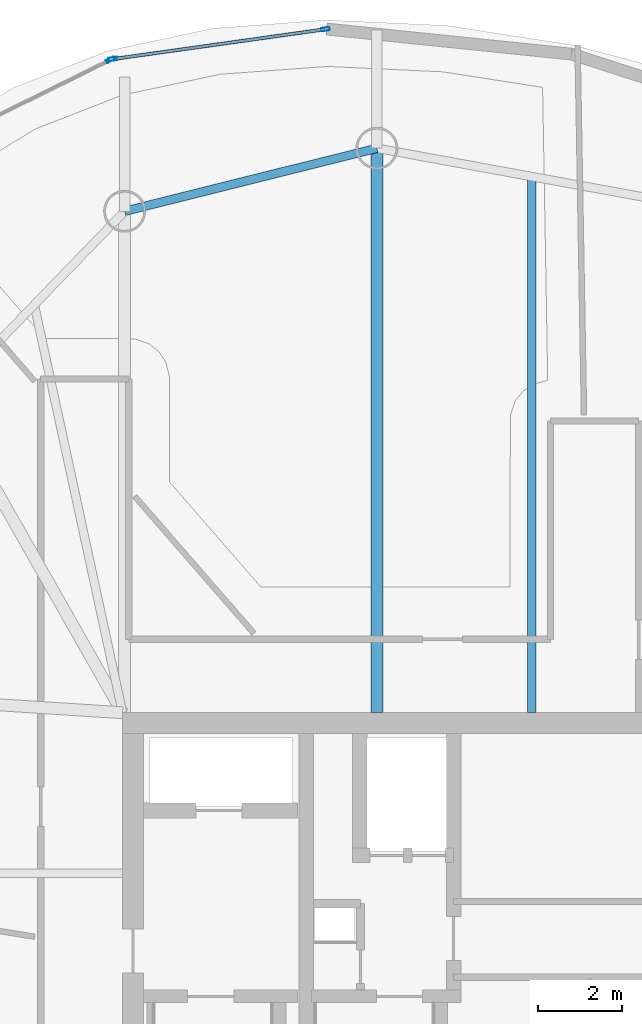
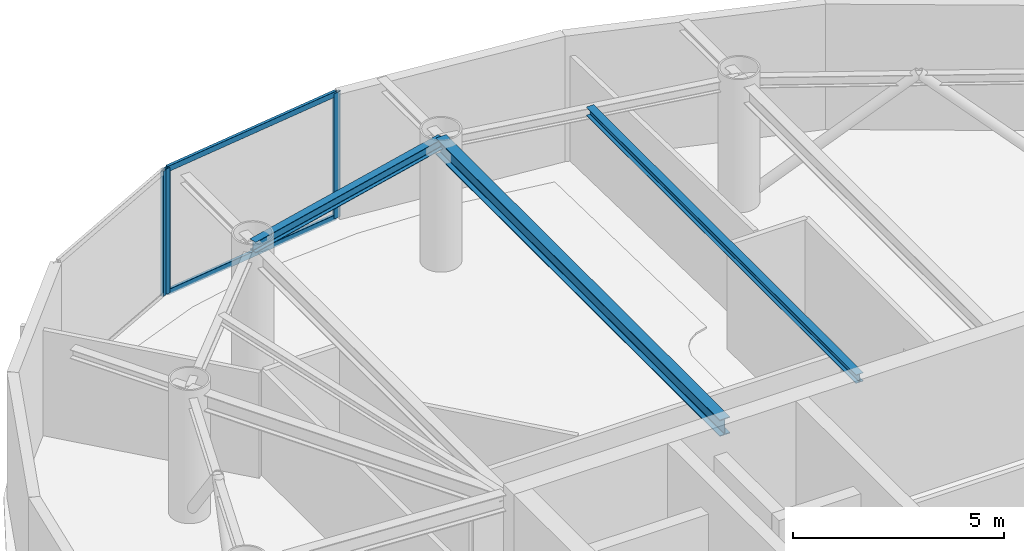
# One storey, part 11 of 20: 5 members, 3 beams, 2 elements without a shape of their own.
"""IFC4 building model written with IfcOpenShell, lengths in metres."""

from ifc_helpers import new_model, si_unit, direction, frame, origin, origin_2d, place, context, subcontext, project, spatial, hollow_rectangle, i_section, extrude, material, layer, layer_set, material_profile, profile_set, type_object, element, aggregate, save


model = new_model("IFC4")

# Units and contexts
model_context = context("Model", 3, precision=1e-05, world=origin(), true_north=direction((0.0, 1.0)))
body_context = subcontext(model_context, "Body", "Model", "MODEL_VIEW")
ifc_project = project(units=[si_unit("LENGTHUNIT", "METRE"), si_unit("AREAUNIT", "SQUARE_METRE"), si_unit("VOLUMEUNIT", "CUBIC_METRE"), si_unit("PLANEANGLEUNIT", "RADIAN"), si_unit("MASSUNIT", "GRAM", prefix="KILO")], contexts=[model_context])

# Site, building, storey
site_placement = place(None, origin())
site = spatial("IfcSite", under=ifc_project, at=site_placement, CompositionType="ELEMENT")
building_placement = place(site_placement, origin())
building = spatial("IfcBuilding", under=site, at=building_placement, Name="Bramvorn Convention Spire", CompositionType="ELEMENT")
storey_placement = place(building_placement, frame((0.0, 0.0, 245.89990234375)))
storey = spatial("IfcBuildingStorey", under=building, at=storey_placement, Name="L62", CompositionType="ELEMENT", Elevation=245.89990234375)

# Beams
ifc_material_1 = material(Name="Steel CSA G40.21 Grade 350 (350W)", Category="steel")
ifc_material_profile_1 = material_profile(ifc_material_1, i_section(OverallWidth=0.201904296875, OverallDepth=0.2470703125, WebThickness=0.00732421875, FlangeThickness=0.010986328125, FilletRadius=0.011962890625, at=origin_2d()))
ifc_profile_set_1 = profile_set([ifc_material_profile_1], Name="Steel CSA G40.21 Grade 350 (350W) - W250X49")
beam_type_1 = type_object("IfcBeamType", Name="BM-W250X49", PredefinedType="JOIST", material=ifc_profile_set_1)
beam_1_placement = place(storey_placement, frame((36.498046875, 33.449951171875, 3.501708984375), z_axis=(0.0, 1.0, 0.0), x_axis=(-1.0, 0.0, 0.0)))
element("IfcBeam", 1, at=beam_1_placement, inside=storey, type_object=beam_type_1, Name="L62 composite floor joist 07", PredefinedType="JOIST", context=body_context, shape_type="SweptSolid", body=[
    extrude(i_section(OverallWidth=0.201904296875, OverallDepth=0.2470703125, WebThickness=0.00732421875, FlangeThickness=0.010986328125, FilletRadius=0.011962890625, at=origin_2d()), origin(), (0.0, 0.0, 1.0), 12.77587890625),
])
ifc_material_profile_2 = material_profile(ifc_material_1, i_section(OverallWidth=0.202880859375, OverallDepth=0.302978515625, WebThickness=0.007568359375, FlangeThickness=0.01318359375, FilletRadius=0.013916015625, at=origin_2d()))
ifc_profile_set_2 = profile_set([ifc_material_profile_2], Name="Steel CSA G40.21 Grade 350 (350W) - W310X60")
beam_type_2 = type_object("IfcBeamType", Name="BM-W310X60", PredefinedType="JOIST", material=ifc_profile_set_2)
beam_2_placement = place(storey_placement, frame((32.8115234375, 46.90087890625, 3.4736328125), z_axis=(-0.970177255997, -0.24239655927, 0.0), x_axis=(0.24239655927, -0.970177255997, 0.0)))
element("IfcBeam", 2, at=beam_2_placement, inside=storey, type_object=beam_type_2, Name="L62 mega-column ring beam 08", PredefinedType="JOIST", context=body_context, shape_type="SweptSolid", body=[
    extrude(i_section(OverallWidth=0.202880859375, OverallDepth=0.302978515625, WebThickness=0.007568359375, FlangeThickness=0.01318359375, FilletRadius=0.013916015625, at=origin_2d()), origin(), (0.0, 0.0, 1.0), 6.1962890625),
])
ifc_material_profile_3 = material_profile(ifc_material_1, i_section(OverallWidth=0.283935546875, OverallDepth=0.47607421875, WebThickness=0.014892578125, FlangeThickness=0.02392578125, FilletRadius=0.01806640625, at=origin_2d()))
ifc_profile_set_3 = profile_set([ifc_material_profile_3], Name="Steel CSA G40.21 Grade 350 (350W) - W460X158")
beam_type_3 = type_object("IfcBeamType", Name="BM-W460X158", PredefinedType="SPANDREL", material=ifc_profile_set_3)
beam_3_placement = place(storey_placement, frame((32.8115234375, 33.449951171875, 3.38720703125), z_axis=(0.0, 1.0, 0.0), x_axis=(-1.0, 0.0, 0.0)))
element("IfcBeam", 3, at=beam_3_placement, inside=storey, type_object=beam_type_3, Name="L62 radial floor girder MC08", PredefinedType="SPANDREL", context=body_context, shape_type="SweptSolid", body=[
    extrude(i_section(OverallWidth=0.283935546875, OverallDepth=0.47607421875, WebThickness=0.014892578125, FlangeThickness=0.02392578125, FilletRadius=0.01806640625, at=origin_2d()), origin(), (0.0, 0.0, 1.0), 13.450927734375),
])

# Curtain wall, members
ifc_material_2 = material(Name="Anodised Bronze Unitised Curtain Wall", Category="aluminium")
ifc_layer = layer(ifc_material_2, 0.179931640625)
ifc_layer_set = layer_set([ifc_layer], Name="Anodised Bronze Unitised Curtain Wall - CW-OFF-FRIT")
curtain_wall_type = type_object("IfcCurtainWallType", Name="CW-OFF-FRIT", PredefinedType="USERDEFINED", material=ifc_layer_set)
curtain_wall_1_placement = place(storey_placement, origin())
curtain_wall_1 = element("IfcCurtainWall", 4, at=curtain_wall_1_placement, inside=storey, type_object=curtain_wall_type, Name="L62 fritted glass curtain wall 11", ObjectType="UNITISED CURTAIN WALL", PredefinedType="USERDEFINED")
ifc_material_3 = material(Name="Anodised Bronze Aluminium 6063-T6", Category="aluminium")
ifc_material_profile_4 = material_profile(ifc_material_3, hollow_rectangle(XDim=0.080078125, YDim=0.199951171875, WallThickness=0.00390625, InnerFilletRadius=0.0009765625, OuterFilletRadius=0.00390625, at=origin_2d()))
ifc_profile_set_4 = profile_set([ifc_material_profile_4], Name="Anodised Bronze Aluminium 6063-T6 - CWM80X200")
member_type_1 = type_object("IfcMemberType", Name="CW-MUL-180", PredefinedType="MULLION", material=ifc_profile_set_4)
member_1_placement = place(storey_placement, frame((26.51806640625, 49.0244140625, 0.0), z_axis=(0.0, 0.0, 1.0), x_axis=(-0.139093599703, 0.99027923866, 0.0)))
member_1 = element("IfcMember", 5, at=member_1_placement, type_object=member_type_1, Name="CW3 mullion 1", PredefinedType="MULLION", context=body_context, shape_type="SweptSolid", body=[
    extrude(hollow_rectangle(XDim=0.080078125, YDim=0.199951171875, WallThickness=0.00390625, InnerFilletRadius=0.0009765625, OuterFilletRadius=0.00390625, at=origin_2d()), origin(), (0.0, 0.0, 1.0), 3.625),
])
member_2_placement = place(storey_placement, frame((31.587646484375, 49.736572265625, 0.0), z_axis=(0.0, 0.0, 1.0), x_axis=(-0.139093599703, 0.99027923866, 0.0)))
member_2 = element("IfcMember", 6, at=member_2_placement, type_object=member_type_1, Name="CW3 mullion 2", PredefinedType="MULLION", context=body_context, shape_type="SweptSolid", body=[
    extrude(hollow_rectangle(XDim=0.080078125, YDim=0.199951171875, WallThickness=0.00390625, InnerFilletRadius=0.0009765625, OuterFilletRadius=0.00390625, at=origin_2d()), origin(), (0.0, 0.0, 1.0), 3.625),
])

# Curtain wall, member
curtain_wall_2_placement = place(storey_placement, origin())
curtain_wall_2 = element("IfcCurtainWall", 7, at=curtain_wall_2_placement, inside=storey, type_object=curtain_wall_type, Name="L62 fritted glass curtain wall 12", ObjectType="UNITISED CURTAIN WALL", PredefinedType="USERDEFINED")
member_3_placement = place(storey_placement, frame((26.46142578125, 49.007080078125, 0.0), z_axis=(0.0, 0.0, 1.0), x_axis=(-0.442355982051, 0.896839553735, 0.0)))
member_3 = element("IfcMember", 8, at=member_3_placement, type_object=member_type_1, Name="CW3 mullion 2", PredefinedType="MULLION", context=body_context, shape_type="SweptSolid", body=[
    extrude(hollow_rectangle(XDim=0.080078125, YDim=0.199951171875, WallThickness=0.00390625, InnerFilletRadius=0.0009765625, OuterFilletRadius=0.00390625, at=origin_2d()), origin(), (0.0, 0.0, 1.0), 3.625),
])
aggregate(curtain_wall_2, [member_3])

# Member
ifc_material_profile_5 = material_profile(ifc_material_3, hollow_rectangle(XDim=0.080078125, YDim=0.159912109375, WallThickness=0.00390625, InnerFilletRadius=0.0009765625, OuterFilletRadius=0.00390625, at=origin_2d()))
ifc_profile_set_5 = profile_set([ifc_material_profile_5], Name="Anodised Bronze Aluminium 6063-T6 - CWT80X160")
member_type_2 = type_object("IfcMemberType", Name="CW-TRN-150", PredefinedType="USERDEFINED", material=ifc_profile_set_5)
member_4_placement = place(storey_placement, frame((26.5478515625, 49.028564453125, 0.030029296875), z_axis=(0.990274974036, 0.139123958391, 0.0), x_axis=(-0.139123958391, 0.990274974036, 0.0)))
member_4 = element("IfcMember", 9, at=member_4_placement, type_object=member_type_2, Name="CW3 transom 1.1", ObjectType="TRANSOM", PredefinedType="USERDEFINED", context=body_context, shape_type="SweptSolid", body=[
    extrude(hollow_rectangle(XDim=0.080078125, YDim=0.159912109375, WallThickness=0.00390625, InnerFilletRadius=0.0009765625, OuterFilletRadius=0.00390625, at=origin_2d()), origin(), (0.0, 0.0, 1.0), 5.059326171875),
])

member_5_placement = place(storey_placement, frame((26.5478515625, 49.028564453125, 3.59521484375), z_axis=(0.990274974036, 0.139123958391, 0.0), x_axis=(-0.139123958391, 0.990274974036, 0.0)))
member_5 = element("IfcMember", 10, at=member_5_placement, type_object=member_type_2, Name="CW3 transom 1.2", ObjectType="TRANSOM", PredefinedType="USERDEFINED", context=body_context, shape_type="SweptSolid", body=[
    extrude(hollow_rectangle(XDim=0.080078125, YDim=0.159912109375, WallThickness=0.00390625, InnerFilletRadius=0.0009765625, OuterFilletRadius=0.00390625, at=origin_2d()), origin(), (0.0, 0.0, 1.0), 5.059326171875),
])

aggregate(curtain_wall_1, [member_1, member_2, member_4, member_5])

save(model, "model.ifc")
